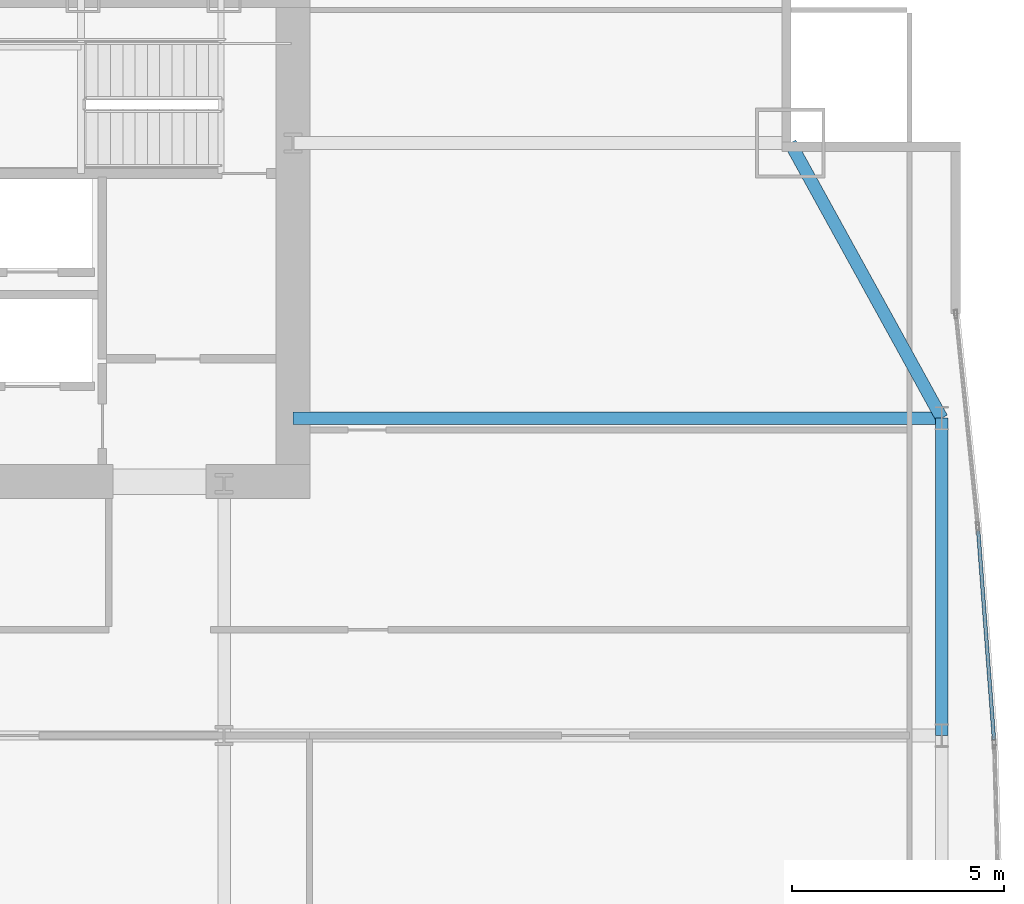
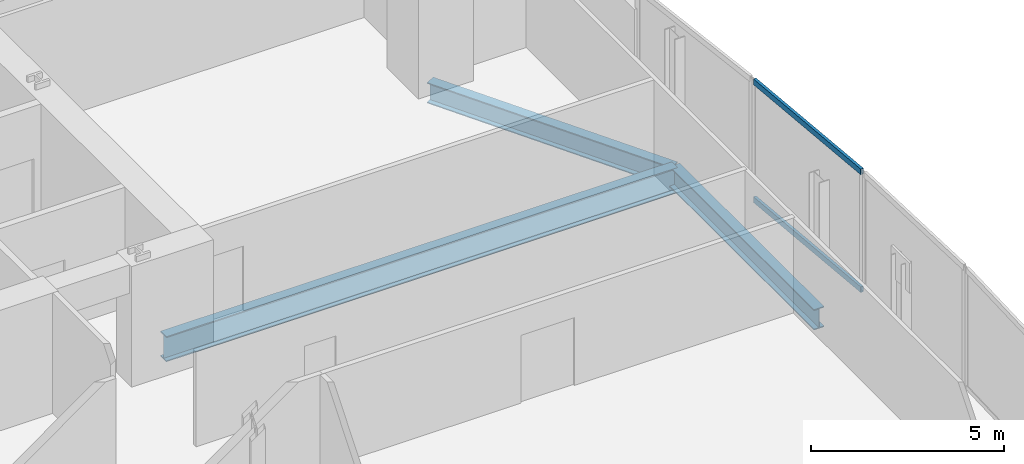
# One storey, part 23 of 33: 3 beams, 2 members, 1 element without a shape of its own.
"""IFC4 building model written with IfcOpenShell, lengths in metres."""

from ifc_helpers import new_model, si_unit, direction, frame, origin, origin_2d, place, context, subcontext, project, spatial, hollow_rectangle, i_section, extrude, material, material_profile, profile_set, type_object, element, aggregate, save


model = new_model("IFC4")

# Units and contexts
model_context = context("Model", 3, precision=1e-05, world=origin(), true_north=direction((0.0, 1.0)))
body_context = subcontext(model_context, "Body", "Model", "MODEL_VIEW")
ifc_project = project(units=[si_unit("LENGTHUNIT", "METRE"), si_unit("AREAUNIT", "SQUARE_METRE"), si_unit("VOLUMEUNIT", "CUBIC_METRE"), si_unit("PLANEANGLEUNIT", "RADIAN"), si_unit("MASSUNIT", "GRAM", prefix="KILO")], contexts=[model_context])

# Site, building, storey
site_placement = place(None, origin())
site = spatial("IfcSite", under=ifc_project, at=site_placement, CompositionType="ELEMENT")
building_placement = place(site_placement, origin())
building = spatial("IfcBuilding", under=site, at=building_placement, Name="Khoronbel Lancet Exchange", CompositionType="ELEMENT")
storey_placement = place(building_placement, frame((0.0, 0.0, 33.800048828125)))
storey = spatial("IfcBuildingStorey", under=building, at=storey_placement, Name="L07", CompositionType="ELEMENT", Elevation=33.800048828125)

# Beams
ifc_material_1 = material(Name="Steel S355", Category="steel")
ifc_material_profile_1 = material_profile(ifc_material_1, i_section(OverallWidth=0.300048828125, OverallDepth=0.800048828125, WebThickness=0.017578125, FlangeThickness=0.032958984375, at=origin_2d()), Name="HEB 800")
ifc_profile_set_1 = profile_set([ifc_material_profile_1], Name="Steel S355")
beam_type_1 = type_object("IfcBeamType", Name="BM-BG2", PredefinedType="BEAM", material=ifc_profile_set_1)
beam_1_placement = place(storey_placement, frame((56.300048828125, 43.199951171875, -0.580078125), z_axis=(1.0, 0.0, 0.0), x_axis=(0.0, 1.0, 0.0)))
element("IfcBeam", 1, at=beam_1_placement, inside=storey, type_object=beam_type_1, Name="Level L07 east lens tie girder LG3E", PredefinedType="BEAM", context=body_context, shape_type="SweptSolid", body=[
    extrude(i_section(OverallWidth=0.300048828125, OverallDepth=0.800048828125, WebThickness=0.017578125, FlangeThickness=0.032958984375, at=origin_2d()), origin(), (0.0, 0.0, 1.0), 15.329833984375),
])
ifc_material_profile_2 = material_profile(ifc_material_1, i_section(OverallWidth=0.300048828125, OverallDepth=0.64990234375, WebThickness=0.01611328125, FlangeThickness=0.031005859375, at=origin_2d()), Name="HEB 650")
ifc_profile_set_2 = profile_set([ifc_material_profile_2], Name="Steel S355")
beam_type_2 = type_object("IfcBeamType", Name="BM-BSP1", PredefinedType="SPANDREL", material=ifc_profile_set_2)
beam_2_placement = place(storey_placement, frame((71.6298828125, 35.699951171875, -0.505126953125), z_axis=(0.0, 1.0, 0.0), x_axis=(-1.0, 0.0, 0.0)))
element("IfcBeam", 2, at=beam_2_placement, inside=storey, type_object=beam_type_2, Name="Level L07 perimeter spandrel beam SP14", PredefinedType="SPANDREL", context=body_context, shape_type="SweptSolid", body=[
    extrude(i_section(OverallWidth=0.300048828125, OverallDepth=0.64990234375, WebThickness=0.01611328125, FlangeThickness=0.031005859375, at=origin_2d()), origin(), (0.0, 0.0, 1.0), 7.5),
])
beam_3_placement = place(storey_placement, frame((71.6298828125, 43.199951171875, -0.505126953125), z_axis=(-0.482418808117, 0.875940690672, 0.0), x_axis=(-0.875940690672, -0.482418808117, 0.0)))
element("IfcBeam", 3, at=beam_3_placement, inside=storey, type_object=beam_type_2, Name="Level L07 perimeter spandrel beam SP15", PredefinedType="SPANDREL", context=body_context, shape_type="SweptSolid", body=[
    extrude(i_section(OverallWidth=0.300048828125, OverallDepth=0.64990234375, WebThickness=0.01611328125, FlangeThickness=0.031005859375, at=origin_2d()), origin(), (0.0, 0.0, 1.0), 7.420654296875),
])

# Curtain wall, members
ifc_material_2 = material(Name="Low-E Solar Control Insulating Glass", Category="glass")
curtain_wall_type = type_object("IfcCurtainWallType", Name="CW-4", PredefinedType="NOTDEFINED", material=ifc_material_2)
curtain_wall_placement = place(storey_placement, origin())
curtain_wall = element("IfcCurtainWall", 4, at=curtain_wall_placement, inside=storey, type_object=curtain_wall_type, Name="Unitised curtain wall CW-L07-E18", PredefinedType="NOTDEFINED")
ifc_material_3 = material(Name="Bronze-Anodised Aluminium 6063-T6", Category="aluminium")
ifc_material_profile_3 = material_profile(ifc_material_3, hollow_rectangle(XDim=0.0849609375, YDim=0.179931640625, WallThickness=0.0048828125, at=origin_2d()), Name="ALU TRANSOM 85x180")
ifc_profile_set_3 = profile_set([ifc_material_profile_3], Name="Bronze-Anodised Aluminium 6063-T6")
member_type = type_object("IfcMemberType", Name="MEM-CWT1", PredefinedType="USERDEFINED", material=ifc_profile_set_3)
member_1_placement = place(storey_placement, frame((72.490966796875, 40.533935546875, 0.04248046875), z_axis=(0.07539754774, -0.997153553769, 0.0), x_axis=(0.997153553769, 0.07539754774, 0.0)))
member_1 = element("IfcMember", 5, at=member_1_placement, type_object=member_type, Name="CW4 transom 1.1", ObjectType="TRANSOM", PredefinedType="USERDEFINED", context=body_context, shape_type="SweptSolid", body=[
    extrude(hollow_rectangle(XDim=0.0849609375, YDim=0.179931640625, WallThickness=0.0048828125, at=origin_2d()), origin(), (0.0, 0.0, 1.0), 4.944580078125),
])
member_2_placement = place(storey_placement, frame((72.490966796875, 40.533935546875, 3.77734375), z_axis=(0.07539754774, -0.997153553769, 0.0), x_axis=(0.997153553769, 0.07539754774, 0.0)))
member_2 = element("IfcMember", 6, at=member_2_placement, type_object=member_type, Name="CW4 transom 1.2", ObjectType="TRANSOM", PredefinedType="USERDEFINED", context=body_context, shape_type="SweptSolid", body=[
    extrude(hollow_rectangle(XDim=0.0849609375, YDim=0.179931640625, WallThickness=0.0048828125, at=origin_2d()), origin(), (0.0, 0.0, 1.0), 4.944580078125),
])
aggregate(curtain_wall, [member_1, member_2])

save(model, "model.ifc")
